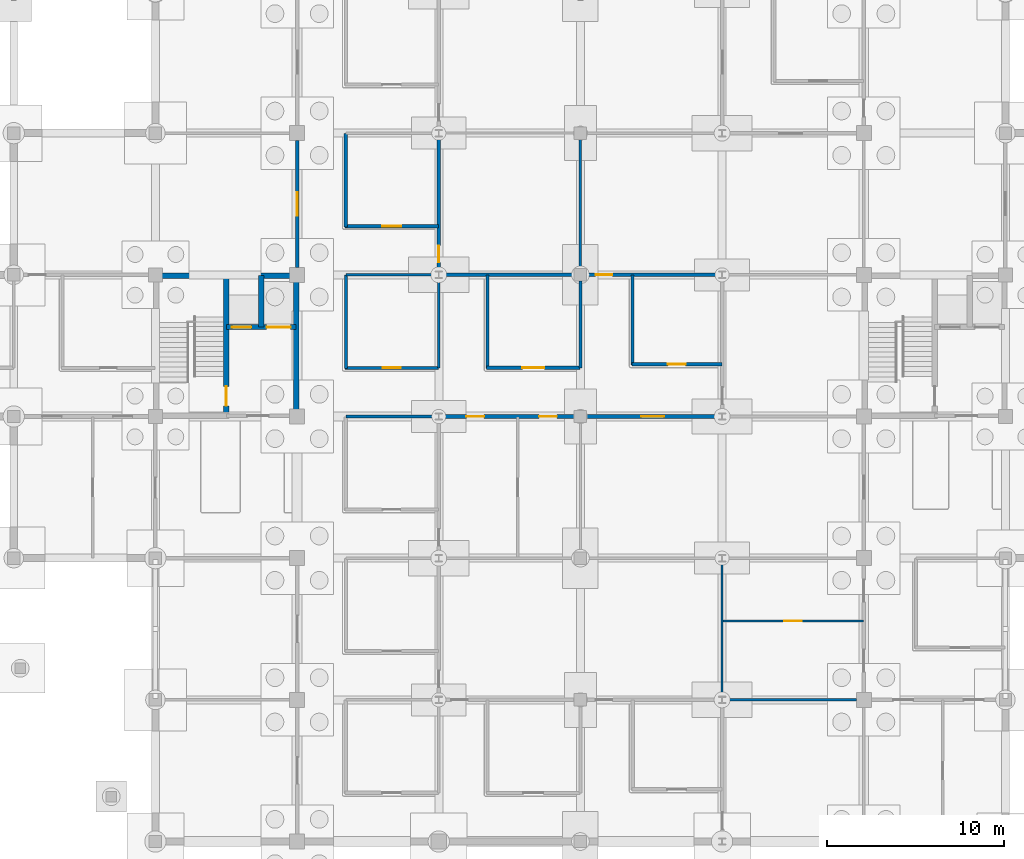
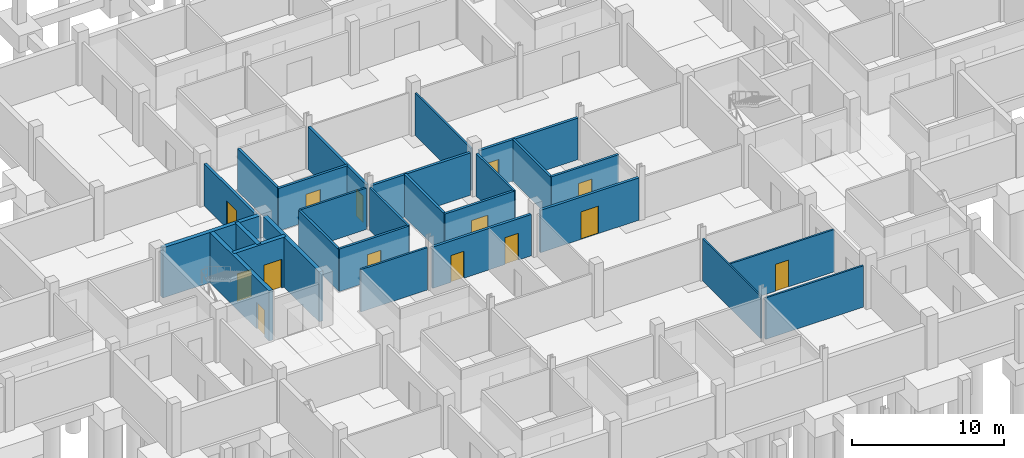
# One storey, part 29 of 48: 27 walls, 14 doors, 14 openings.
"""IFC4 building model written with IfcOpenShell, lengths in metres."""

from ifc_helpers import new_model, si_unit, derived_unit, direction, frame, frame_2d, origin, place, context, subcontext, project, spatial, rectangle, extrude, material, layer, layer_set, type_object, element, fill, save


model = new_model("IFC4")

# Units and contexts
model_context = context("Model", 3, precision=1e-05, world=origin(), true_north=direction((0.0, 1.0)))
body_context = subcontext(model_context, "Body", "Model", "MODEL_VIEW")
ifc_project = project(units=[si_unit("LENGTHUNIT", "METRE"), si_unit("AREAUNIT", "SQUARE_METRE"), si_unit("VOLUMEUNIT", "CUBIC_METRE"), si_unit("PLANEANGLEUNIT", "RADIAN"), si_unit("MASSUNIT", "GRAM", prefix="KILO"), derived_unit("THERMALTRANSMITTANCEUNIT", [(si_unit("MASSUNIT", "GRAM", prefix="KILO"), 1), (si_unit("TIMEUNIT", "SECOND"), -3), (si_unit("THERMODYNAMICTEMPERATUREUNIT", "KELVIN"), -1)])], contexts=[model_context])

# Site, building, storey
site_placement = place(None, origin())
site = spatial("IfcSite", under=ifc_project, at=site_placement, CompositionType="ELEMENT")
building_placement = place(site_placement, origin())
building = spatial("IfcBuilding", under=site, at=building_placement, Name="Veyamyaing Civic Hall", CompositionType="ELEMENT")
storey_placement = place(building_placement, frame((0.0, 0.0, -4.2900390625)))
storey = spatial("IfcBuildingStorey", under=building, at=storey_placement, Name="B1", CompositionType="ELEMENT", Elevation=-4.2900390625)

# Walls
ifc_material_1 = material(Name="Concrete C40/50", Category="concrete")
ifc_layer_1 = layer(ifc_material_1, 0.300048828125, Name="Concrete C40/50")
ifc_layer_set_1 = layer_set([ifc_layer_1], Name="Concrete C40/50")
wall_type_1 = type_object("IfcWallType", Name="WT-05", PredefinedType="SHEAR", material=ifc_layer_set_1)
wall_1_placement = place(storey_placement, frame((64.2900390625, 55.949951171875, 0.0), z_axis=(0.0, 0.0, 1.0), x_axis=(1.0, 0.0, 0.0)))
element("IfcWall", 1, at=wall_1_placement, inside=storey, type_object=wall_type_1, Name="Core shear wall WT-05 CORE-5 B1.N", PredefinedType="SHEAR", context=body_context, shape_type="SweptSolid", body=[
    extrude(rectangle(XDim=7.39501953125, YDim=0.300048828125, at=frame_2d((3.697509765625, 0.0))), origin(), (0.0, 0.0, 1.0), 4.01513671875),
])
wall_2_placement = place(storey_placement, frame((71.949951171875, 48.31494140625, 0.0), z_axis=(0.0, 0.0, 1.0), x_axis=(0.0, 1.0, 0.0)))
element("IfcWall", 2, at=wall_2_placement, inside=storey, type_object=wall_type_1, Name="Core shear wall WT-05 CORE-5 B1.E", PredefinedType="SHEAR", context=body_context, shape_type="SweptSolid", body=[
    extrude(rectangle(XDim=7.3701171875, YDim=0.300048828125, at=frame_2d((3.68505859375, 0.0))), origin(), (0.0, 0.0, 1.0), 4.01513671875),
])

# Wall, opening, door
wall_3_placement = place(storey_placement, frame((68.0, 48.050048828125, 0.0), z_axis=(0.0, 0.0, 1.0), x_axis=(0.0, 1.0, 0.0)))
wall_3 = element("IfcWall", 3, at=wall_3_placement, inside=storey, type_object=wall_type_1, Name="Core shear wall WT-05 CORE-5 B1.MID", PredefinedType="SHEAR", context=body_context, shape_type="SweptSolid", body=[
    extrude(rectangle(XDim=7.89990234375, YDim=0.300048828125, at=frame_2d((3.949951171875, 0.0))), origin(), (0.0, 0.0, 1.0), 4.01513671875),
])
opening_1_placement = place(wall_3_placement, frame((0.550048828125, 0.0, 0.0)))
opening_1 = element("IfcOpeningElement", 4, at=opening_1_placement, cuts=wall_3, Name="Opening D-03", PredefinedType="OPENING", context=body_context, shape_type="SweptSolid", body=[
    extrude(rectangle(XDim=1.10009765625, YDim=2.14990234375, at=frame_2d((0.550048828125, 1.074951171875))), frame((0.0, 0.159912109375, 0.0), z_axis=(0.0, -1.0, 0.0), x_axis=(1.0, 0.0, 0.0)), (0.0, 0.0, 1.0), 0.320068359375),
])
ifc_material_2 = material(Name="Galvanized steel S355J2", Category="steel")
door_type_1 = type_object("IfcDoorType", Name="D-03", OperationType="NOTDEFINED", PredefinedType="DOOR", material=ifc_material_2)
door_1_placement = place(opening_1_placement, origin())
door_1 = element("IfcDoor", 5, at=door_1_placement, inside=storey, type_object=door_type_1, Name="Exit stair fire door D-03 ST-05 B1", OperationType="SINGLE_SWING_LEFT", OverallHeight=2.14990234375, OverallWidth=1.10009765625, PredefinedType="DOOR", context=body_context, shape_type="SweptSolid", body=[
    extrude(rectangle(XDim=1.10009765625, YDim=2.14990234375, at=frame_2d((0.550048828125, 1.074951171875))), frame((0.0, 0.02490234375, 0.0), z_axis=(0.0, -1.0, 0.0), x_axis=(1.0, 0.0, 0.0)), (0.0, 0.0, 1.0), 0.050048828125),
])
fill(opening_1, door_1)

# Wall, openings, doors
wall_4_placement = place(storey_placement, frame((68.0, 53.050048828125, 0.0), z_axis=(0.0, 0.0, 1.0), x_axis=(1.0, 0.0, 0.0)))
wall_4 = element("IfcWall", 6, at=wall_4_placement, inside=storey, type_object=wall_type_1, Name="Core shear wall WT-05 CORE-5 B1.LFT", PredefinedType="SHEAR", context=body_context, shape_type="SweptSolid", body=[
    extrude(rectangle(XDim=3.949951171875, YDim=0.300048828125, at=frame_2d((1.97509765625, 0.0))), origin(), (0.0, 0.0, 1.0), 4.01513671875),
])
opening_2_placement = place(wall_4_placement, frame((0.320068359375, 0.0, 0.0)))
opening_2 = element("IfcOpeningElement", 7, at=opening_2_placement, cuts=wall_4, Name="Opening LD-01", PredefinedType="OPENING", context=body_context, shape_type="SweptSolid", body=[
    extrude(rectangle(XDim=1.10009765625, YDim=2.199951171875, at=frame_2d((0.550048828125, 1.10009765625))), frame((0.0, 0.159912109375, 0.0), z_axis=(0.0, -1.0, 0.0), x_axis=(1.0, 0.0, 0.0)), (0.0, 0.0, 1.0), 0.320068359375),
])
opening_3_placement = place(wall_4_placement, frame((2.280029296875, 0.0, 0.0)))
opening_3 = element("IfcOpeningElement", 8, at=opening_3_placement, cuts=wall_4, Name="Opening LD-03", PredefinedType="OPENING", context=body_context, shape_type="SweptSolid", body=[
    extrude(rectangle(XDim=1.35009765625, YDim=2.300048828125, at=frame_2d((0.675048828125, 1.14990234375))), frame((0.0, 0.159912109375, 0.0), z_axis=(0.0, -1.0, 0.0), x_axis=(1.0, 0.0, 0.0)), (0.0, 0.0, 1.0), 0.320068359375),
])
ifc_material_3 = material(Name="Anodised aluminium 6063-T6", Category="aluminium")
door_type_2 = type_object("IfcDoorType", Name="LD-01", OperationType="SLIDING_TO_LEFT", PredefinedType="DOOR", material=ifc_material_3)
door_2_placement = place(opening_2_placement, origin())
door_2 = element("IfcDoor", 9, at=door_2_placement, inside=storey, type_object=door_type_2, Name="Lift sliding landing door LD-01 PL-03 B1", OperationType="SLIDING_TO_LEFT", OverallHeight=2.199951171875, OverallWidth=1.10009765625, PredefinedType="DOOR", context=body_context, shape_type="SweptSolid", body=[
    extrude(rectangle(XDim=1.10009765625, YDim=2.199951171875, at=frame_2d((0.550048828125, 1.10009765625))), frame((0.0, 0.02490234375, 0.0), z_axis=(0.0, -1.0, 0.0), x_axis=(1.0, 0.0, 0.0)), (0.0, 0.0, 1.0), 0.050048828125),
])
fill(opening_2, door_2)
door_type_3 = type_object("IfcDoorType", Name="LD-03", OperationType="DOUBLE_DOOR_SLIDING", PredefinedType="DOOR", material=ifc_material_2)
door_3_placement = place(opening_3_placement, origin())
door_3 = element("IfcDoor", 10, at=door_3_placement, inside=storey, type_object=door_type_3, Name="Lift sliding landing door LD-03 GL-01 B1", OperationType="DOUBLE_DOOR_SLIDING", OverallHeight=2.300048828125, OverallWidth=1.35009765625, PredefinedType="DOOR", context=body_context, shape_type="SweptSolid", body=[
    extrude(rectangle(XDim=1.35009765625, YDim=2.300048828125, at=frame_2d((0.675048828125, 1.14990234375))), frame((0.0, 0.02490234375, 0.0), z_axis=(0.0, -1.0, 0.0), x_axis=(1.0, 0.0, 0.0)), (0.0, 0.0, 1.0), 0.050048828125),
])
fill(opening_3, door_3)

# Wall
wall_5_placement = place(storey_placement, frame((69.97998046875, 53.050048828125, 0.0), z_axis=(0.0, 0.0, 1.0), x_axis=(0.0, 1.0, 0.0)))
element("IfcWall", 11, at=wall_5_placement, inside=storey, type_object=wall_type_1, Name="Core shear wall WT-05 CORE-5 B1.LDIV", PredefinedType="SHEAR", context=body_context, shape_type="SweptSolid", body=[
    extrude(rectangle(XDim=2.89990234375, YDim=0.300048828125, at=frame_2d((1.449951171875, 0.0))), origin(), (0.0, 0.0, 1.0), 4.01513671875),
])

# Wall, opening, door
ifc_layer_2 = layer(ifc_material_1, 0.199951171875, Name="Concrete C40/50")
ifc_layer_set_2 = layer_set([ifc_layer_2], Name="Concrete C40/50")
wall_type_2 = type_object("IfcWallType", Name="WT-06", PredefinedType="PARTITIONING", material=ifc_layer_set_2)
wall_6_placement = place(storey_placement, frame((72.0, 56.4150390625, 0.0), z_axis=(0.0, 0.0, 1.0), x_axis=(0.0, 1.0, 0.0)))
wall_6 = element("IfcWall", 12, at=wall_6_placement, inside=storey, type_object=wall_type_2, Name="Interior partition wall WT-06 B1.20", PredefinedType="PARTITIONING", context=body_context, shape_type="SweptSolid", body=[
    extrude(rectangle(XDim=7.169921875, YDim=0.199951171875, at=frame_2d((3.5849609375, 0.0))), origin(), (0.0, 0.0, 1.0), 3.39306640625),
])
opening_4_placement = place(wall_6_placement, frame((2.93505859375, 0.0, 0.0)))
opening_4 = element("IfcOpeningElement", 13, at=opening_4_placement, cuts=wall_6, Name="Opening D-18", PredefinedType="OPENING", context=body_context, shape_type="SweptSolid", body=[
    extrude(rectangle(XDim=1.300048828125, YDim=2.199951171875, at=frame_2d((0.64990234375, 1.10009765625))), frame((0.0, 0.10986328125, 0.0), z_axis=(0.0, -1.0, 0.0), x_axis=(1.0, 0.0, 0.0)), (0.0, 0.0, 1.0), 0.219970703125),
])
door_type_4 = type_object("IfcDoorType", Name="D-18", OperationType="DOUBLE_DOOR_SINGLE_SWING", PredefinedType="DOOR", material=ifc_material_3)
door_4_placement = place(opening_4_placement, origin())
door_4 = element("IfcDoor", 14, at=door_4_placement, inside=storey, type_object=door_type_4, Name="Interior door D-18 B1.20", OperationType="DOUBLE_DOOR_SINGLE_SWING", OverallHeight=2.199951171875, OverallWidth=1.300048828125, PredefinedType="DOOR", context=body_context, shape_type="SweptSolid", body=[
    extrude(rectangle(XDim=1.300048828125, YDim=2.199951171875, at=frame_2d((0.64990234375, 1.10009765625))), frame((0.0, 0.02490234375, 0.0), z_axis=(0.0, -1.0, 0.0), x_axis=(1.0, 0.0, 0.0)), (0.0, 0.0, 1.0), 0.050048828125),
])
fill(opening_4, door_4)

wall_7_placement = place(storey_placement, frame((80.0, 56.18359375, 0.0), z_axis=(0.0, 0.0, 1.0), x_axis=(0.0, 1.0, 0.0)))
wall_7 = element("IfcWall", 15, at=wall_7_placement, inside=storey, type_object=wall_type_2, Name="Interior partition wall WT-06 B1.26", PredefinedType="PARTITIONING", context=body_context, shape_type="SweptSolid", body=[
    extrude(rectangle(XDim=7.6328125, YDim=0.199951171875, at=frame_2d((3.81640625, 0.0))), origin(), (0.0, 0.0, 1.0), 3.402099609375),
])
opening_5_placement = place(wall_7_placement, frame((0.52001953125, 0.0, 0.0)))
opening_5 = element("IfcOpeningElement", 16, at=opening_5_placement, cuts=wall_7, Name="Opening D-30", PredefinedType="OPENING", context=body_context, shape_type="SweptSolid", body=[
    extrude(rectangle(XDim=0.93994140625, YDim=2.1201171875, at=frame_2d((0.469970703125, 1.06005859375))), frame((0.0, 0.10986328125, 0.0), z_axis=(0.0, -1.0, 0.0), x_axis=(1.0, 0.0, 0.0)), (0.0, 0.0, 1.0), 0.219970703125),
])
ifc_material_4 = material(Name="Teak-veneered acoustic timber", Category="wood")
door_type_5 = type_object("IfcDoorType", Name="D-30", OperationType="NOTDEFINED", PredefinedType="DOOR", material=ifc_material_4)
door_5_placement = place(opening_5_placement, frame((0.93994140625, 0.0, 0.0), z_axis=(0.0, 0.0, 1.0), x_axis=(-1.0, 0.0, 0.0)))
door_5 = element("IfcDoor", 17, at=door_5_placement, inside=storey, type_object=door_type_5, Name="Interior door D-30 B1.26", OperationType="SINGLE_SWING_LEFT", OverallHeight=2.1201171875, OverallWidth=0.93994140625, PredefinedType="DOOR", context=body_context, shape_type="SweptSolid", body=[
    extrude(rectangle(XDim=0.93994140625, YDim=2.1201171875, at=frame_2d((0.469970703125, 1.06005859375))), frame((0.0, 0.02490234375, 0.0), z_axis=(0.0, -1.0, 0.0), x_axis=(1.0, 0.0, 0.0)), (0.0, 0.0, 1.0), 0.050048828125),
])
fill(opening_5, door_5)

# Wall, openings, doors
wall_8_placement = place(storey_placement, frame((80.18896484375, 48.0, 0.0), z_axis=(0.0, 0.0, 1.0), x_axis=(1.0, 0.0, 0.0)))
wall_8 = element("IfcWall", 18, at=wall_8_placement, inside=storey, type_object=wall_type_2, Name="Interior partition wall WT-06 B1.31", PredefinedType="PARTITIONING", context=body_context, shape_type="SweptSolid", body=[
    extrude(rectangle(XDim=7.470947265625, YDim=0.199951171875, at=frame_2d((3.7353515625, 0.0))), origin(), (0.0, 0.0, 1.0), 3.317138671875),
])
opening_6_placement = place(wall_8_placement, frame((1.367919921875, 0.0, 0.0)))
opening_6 = element("IfcOpeningElement", 19, at=opening_6_placement, cuts=wall_8, Name="Opening D-13", PredefinedType="OPENING", context=body_context, shape_type="SweptSolid", body=[
    extrude(rectangle(XDim=1.0, YDim=2.14990234375, at=frame_2d((0.5, 1.074951171875))), frame((0.0, 0.10986328125, 0.0), z_axis=(0.0, -1.0, 0.0), x_axis=(1.0, 0.0, 0.0)), (0.0, 0.0, 1.0), 0.219970703125),
])
opening_7_placement = place(wall_8_placement, frame((5.476806640625, 0.0, 0.0)))
opening_7 = element("IfcOpeningElement", 20, at=opening_7_placement, cuts=wall_8, Name="Opening D-13", PredefinedType="OPENING", context=body_context, shape_type="SweptSolid", body=[
    extrude(rectangle(XDim=1.0, YDim=2.14990234375, at=frame_2d((0.5, 1.074951171875))), frame((0.0, 0.10986328125, 0.0), z_axis=(0.0, -1.0, 0.0), x_axis=(1.0, 0.0, 0.0)), (0.0, 0.0, 1.0), 0.219970703125),
])
door_type_6 = type_object("IfcDoorType", Name="D-13", OperationType="NOTDEFINED", PredefinedType="DOOR", material=ifc_material_4)
door_6_placement = place(opening_6_placement, frame((1.0, 0.0, 0.0), z_axis=(0.0, 0.0, 1.0), x_axis=(-1.0, 0.0, 0.0)))
door_6 = element("IfcDoor", 21, at=door_6_placement, inside=storey, type_object=door_type_6, Name="Interior room door D-13 B1.31.1", OperationType="SINGLE_SWING_RIGHT", OverallHeight=2.14990234375, OverallWidth=1.0, PredefinedType="DOOR", context=body_context, shape_type="SweptSolid", body=[
    extrude(rectangle(XDim=1.0, YDim=2.14990234375, at=frame_2d((0.5, 1.074951171875))), frame((0.0, 0.02490234375, 0.0), z_axis=(0.0, -1.0, 0.0), x_axis=(1.0, 0.0, 0.0)), (0.0, 0.0, 1.0), 0.050048828125),
])
fill(opening_6, door_6)
door_7_placement = place(opening_7_placement, frame((1.0, 0.0, 0.0), z_axis=(0.0, 0.0, 1.0), x_axis=(-1.0, 0.0, 0.0)))
door_7 = element("IfcDoor", 22, at=door_7_placement, inside=storey, type_object=door_type_6, Name="Interior room door D-13 B1.31.2", OperationType="SINGLE_SWING_LEFT", OverallHeight=2.14990234375, OverallWidth=1.0, PredefinedType="DOOR", context=body_context, shape_type="SweptSolid", body=[
    extrude(rectangle(XDim=1.0, YDim=2.14990234375, at=frame_2d((0.5, 1.074951171875))), frame((0.0, 0.02490234375, 0.0), z_axis=(0.0, -1.0, 0.0), x_axis=(1.0, 0.0, 0.0)), (0.0, 0.0, 1.0), 0.050048828125),
])
fill(opening_7, door_7)

# Wall
wall_9_placement = place(storey_placement, frame((80.18896484375, 56.0, 0.0), z_axis=(0.0, 0.0, 1.0), x_axis=(1.0, 0.0, 0.0)))
element("IfcWall", 23, at=wall_9_placement, inside=storey, type_object=wall_type_2, Name="Interior partition wall WT-06 B1.32", PredefinedType="PARTITIONING", context=body_context, shape_type="SweptSolid", body=[
    extrude(rectangle(XDim=7.470947265625, YDim=0.199951171875, at=frame_2d((3.7353515625, 0.0))), origin(), (0.0, 0.0, 1.0), 3.39306640625),
])

# Wall, opening, door
wall_10_placement = place(storey_placement, frame((88.340087890625, 48.0, 0.0), z_axis=(0.0, 0.0, 1.0), x_axis=(1.0, 0.0, 0.0)))
wall_10 = element("IfcWall", 24, at=wall_10_placement, inside=storey, type_object=wall_type_2, Name="Interior partition wall WT-06 B1.40", PredefinedType="PARTITIONING", context=body_context, shape_type="SweptSolid", body=[
    extrude(rectangle(XDim=7.470947265625, YDim=0.199951171875, at=frame_2d((3.7353515625, 0.0))), origin(), (0.0, 0.0, 1.0), 3.39306640625),
])
opening_8_placement = place(wall_10_placement, frame((3.08544921875, 0.0, 0.0)))
opening_8 = element("IfcOpeningElement", 25, at=opening_8_placement, cuts=wall_10, Name="Opening D-18", PredefinedType="OPENING", context=body_context, shape_type="SweptSolid", body=[
    extrude(rectangle(XDim=1.300048828125, YDim=2.199951171875, at=frame_2d((0.64990234375, 1.10009765625))), frame((0.0, 0.10986328125, 0.0), z_axis=(0.0, -1.0, 0.0), x_axis=(1.0, 0.0, 0.0)), (0.0, 0.0, 1.0), 0.219970703125),
])
door_8_placement = place(opening_8_placement, frame((1.300048828125, 0.0, 0.0), z_axis=(0.0, 0.0, 1.0), x_axis=(-1.0, 0.0, 0.0)))
door_8 = element("IfcDoor", 26, at=door_8_placement, inside=storey, type_object=door_type_4, Name="Interior door D-18 B1.40", OperationType="DOUBLE_DOOR_SINGLE_SWING", OverallHeight=2.199951171875, OverallWidth=1.300048828125, PredefinedType="DOOR", context=body_context, shape_type="SweptSolid", body=[
    extrude(rectangle(XDim=1.300048828125, YDim=2.199951171875, at=frame_2d((0.64990234375, 1.10009765625))), frame((0.0, 0.02490234375, 0.0), z_axis=(0.0, -1.0, 0.0), x_axis=(1.0, 0.0, 0.0)), (0.0, 0.0, 1.0), 0.050048828125),
])
fill(opening_8, door_8)

wall_11_placement = place(storey_placement, frame((88.340087890625, 56.0, 0.0), z_axis=(0.0, 0.0, 1.0), x_axis=(1.0, 0.0, 0.0)))
wall_11 = element("IfcWall", 27, at=wall_11_placement, inside=storey, type_object=wall_type_2, Name="Interior partition wall WT-06 B1.42", PredefinedType="PARTITIONING", context=body_context, shape_type="SweptSolid", body=[
    extrude(rectangle(XDim=7.470947265625, YDim=0.199951171875, at=frame_2d((3.7353515625, 0.0))), origin(), (0.0, 0.0, 1.0), 3.325927734375),
])
opening_9_placement = place(wall_11_placement, frame((0.52001953125, 0.0, 0.0)))
opening_9 = element("IfcOpeningElement", 28, at=opening_9_placement, cuts=wall_11, Name="Opening D-30", PredefinedType="OPENING", context=body_context, shape_type="SweptSolid", body=[
    extrude(rectangle(XDim=0.93994140625, YDim=2.1201171875, at=frame_2d((0.469970703125, 1.06005859375))), frame((0.0, 0.10986328125, 0.0), z_axis=(0.0, -1.0, 0.0), x_axis=(1.0, 0.0, 0.0)), (0.0, 0.0, 1.0), 0.219970703125),
])
door_9_placement = place(opening_9_placement, origin())
door_9 = element("IfcDoor", 29, at=door_9_placement, inside=storey, type_object=door_type_5, Name="Interior door D-30 B1.42", OperationType="SINGLE_SWING_LEFT", OverallHeight=2.1201171875, OverallWidth=0.93994140625, PredefinedType="DOOR", context=body_context, shape_type="SweptSolid", body=[
    extrude(rectangle(XDim=0.93994140625, YDim=2.1201171875, at=frame_2d((0.469970703125, 1.06005859375))), frame((0.0, 0.02490234375, 0.0), z_axis=(0.0, -1.0, 0.0), x_axis=(1.0, 0.0, 0.0)), (0.0, 0.0, 1.0), 0.050048828125),
])
fill(opening_9, door_9)

ifc_material_5 = material(Name="Gypsum board on acoustic steel stud", Category="steel")
ifc_layer_3 = layer(ifc_material_5, 0.175048828125, Name="Gypsum board on acoustic steel stud")
ifc_layer_set_3 = layer_set([ifc_layer_3], Name="Gypsum board on acoustic steel stud")
wall_type_3 = type_object("IfcWallType", Name="WT-07", PredefinedType="PARTITIONING", material=ifc_layer_set_3)
wall_12_placement = place(storey_placement, frame((74.699951171875, 50.75, 0.0), z_axis=(0.0, 0.0, 1.0), x_axis=(1.0, 0.0, 0.0)))
wall_12 = element("IfcWall", 30, at=wall_12_placement, inside=storey, type_object=wall_type_3, Name="Corridor gallery partition WT-07 B1.23.1", PredefinedType="PARTITIONING", context=body_context, shape_type="SweptSolid", body=[
    extrude(rectangle(XDim=5.280029296875, YDim=0.175048828125, at=frame_2d((2.64013671875, 0.0))), origin(), (0.0, 0.0, 1.0), 3.39306640625),
])
opening_10_placement = place(wall_12_placement, frame((2.1298828125, 0.0, 0.0)))
opening_10 = element("IfcOpeningElement", 31, at=opening_10_placement, cuts=wall_12, Name="Opening D-19", PredefinedType="OPENING", context=body_context, shape_type="SweptSolid", body=[
    extrude(rectangle(XDim=1.02001953125, YDim=2.199951171875, at=frame_2d((0.510009765625, 1.10009765625))), frame((0.0, 0.097412109375, 0.0), z_axis=(0.0, -1.0, 0.0), x_axis=(1.0, 0.0, 0.0)), (0.0, 0.0, 1.0), 0.195068359375),
])
door_type_7 = type_object("IfcDoorType", Name="D-19", OperationType="NOTDEFINED", PredefinedType="DOOR", material=ifc_material_4)
door_10_placement = place(opening_10_placement, origin())
door_10 = element("IfcDoor", 32, at=door_10_placement, inside=storey, type_object=door_type_7, Name="Gallery office door D-19 B1.23", OperationType="SINGLE_SWING_LEFT", OverallHeight=2.199951171875, OverallWidth=1.02001953125, PredefinedType="DOOR", context=body_context, shape_type="SweptSolid", body=[
    extrude(rectangle(XDim=1.02001953125, YDim=2.199951171875, at=frame_2d((0.510009765625, 1.10009765625))), frame((0.0, 0.02490234375, 0.0), z_axis=(0.0, -1.0, 0.0), x_axis=(1.0, 0.0, 0.0)), (0.0, 0.0, 1.0), 0.050048828125),
])
fill(opening_10, door_10)

# Wall
wall_13_placement = place(storey_placement, frame((74.75, 50.699951171875, 0.0), z_axis=(0.0, 0.0, 1.0), x_axis=(0.0, 1.0, 0.0)))
element("IfcWall", 33, at=wall_13_placement, inside=storey, type_object=wall_type_3, Name="Corridor gallery partition WT-07 B1.23.2", PredefinedType="PARTITIONING", context=body_context, shape_type="SweptSolid", body=[
    extrude(rectangle(XDim=5.280029296875, YDim=0.175048828125, at=frame_2d((2.64013671875, 0.0))), origin(), (0.0, 0.0, 1.0), 3.317138671875),
])

# Wall, opening, door
wall_14_placement = place(storey_placement, frame((90.89990234375, 50.949951171875, 0.0), z_axis=(0.0, 0.0, 1.0), x_axis=(1.0, 0.0, 0.0)))
wall_14 = element("IfcWall", 34, at=wall_14_placement, inside=storey, type_object=wall_type_3, Name="Corridor gallery partition WT-07 B1.31.1", PredefinedType="PARTITIONING", context=body_context, shape_type="SweptSolid", body=[
    extrude(rectangle(XDim=5.080078125, YDim=0.175048828125, at=frame_2d((2.5400390625, 0.0))), origin(), (0.0, 0.0, 1.0), 3.39404296875),
])
opening_11_placement = place(wall_14_placement, frame((2.0400390625, 0.0, 0.0)))
opening_11 = element("IfcOpeningElement", 35, at=opening_11_placement, cuts=wall_14, Name="Opening D-13", PredefinedType="OPENING", context=body_context, shape_type="SweptSolid", body=[
    extrude(rectangle(XDim=1.0, YDim=2.14990234375, at=frame_2d((0.5, 1.074951171875))), frame((0.0, 0.097412109375, 0.0), z_axis=(0.0, -1.0, 0.0), x_axis=(1.0, 0.0, 0.0)), (0.0, 0.0, 1.0), 0.195068359375),
])
door_11_placement = place(opening_11_placement, origin())
door_11 = element("IfcDoor", 36, at=door_11_placement, inside=storey, type_object=door_type_6, Name="Gallery office door D-13 B1.31", OperationType="SINGLE_SWING_LEFT", OverallHeight=2.14990234375, OverallWidth=1.0, PredefinedType="DOOR", context=body_context, shape_type="SweptSolid", body=[
    extrude(rectangle(XDim=1.0, YDim=2.14990234375, at=frame_2d((0.5, 1.074951171875))), frame((0.0, 0.02490234375, 0.0), z_axis=(0.0, -1.0, 0.0), x_axis=(1.0, 0.0, 0.0)), (0.0, 0.0, 1.0), 0.050048828125),
])
fill(opening_11, door_11)

# Walls
wall_15_placement = place(storey_placement, frame((90.949951171875, 50.89990234375, 0.0), z_axis=(0.0, 0.0, 1.0), x_axis=(0.0, 1.0, 0.0)))
element("IfcWall", 37, at=wall_15_placement, inside=storey, type_object=wall_type_3, Name="Corridor gallery partition WT-07 B1.31.2", PredefinedType="PARTITIONING", context=body_context, shape_type="SweptSolid", body=[
    extrude(rectangle(XDim=5.080078125, YDim=0.175048828125, at=frame_2d((2.5400390625, 0.0))), origin(), (0.0, 0.0, 1.0), 3.325927734375),
])
ifc_material_6 = material(Name="Gypsum board on steel stud", Category="steel")
ifc_layer_4 = layer(ifc_material_6, 0.14990234375, Name="Gypsum board on steel stud")
ifc_layer_set_4 = layer_set([ifc_layer_4], Name="Gypsum board on steel stud")
wall_type_4 = type_object("IfcWallType", Name="WT-08", PredefinedType="PARTITIONING", material=ifc_layer_set_4)
wall_16_placement = place(storey_placement, frame((74.75, 48.0, 0.0), z_axis=(0.0, 0.0, 1.0), x_axis=(1.0, 0.0, 0.0)))
element("IfcWall", 38, at=wall_16_placement, inside=storey, type_object=wall_type_4, Name="Gallery office end partition WT-08 B1.22.1", PredefinedType="PARTITIONING", context=body_context, shape_type="SweptSolid", body=[
    extrude(rectangle(XDim=5.041015625, YDim=0.14990234375, at=frame_2d((2.5205078125, 0.0))), origin(), (0.0, 0.0, 1.0), 3.39404296875),
])
wall_17_placement = place(storey_placement, frame((74.75, 56.0, 0.0), z_axis=(0.0, 0.0, 1.0), x_axis=(1.0, 0.0, 0.0)))
element("IfcWall", 39, at=wall_17_placement, inside=storey, type_object=wall_type_4, Name="Gallery office end partition WT-08 B1.23.1", PredefinedType="PARTITIONING", context=body_context, shape_type="SweptSolid", body=[
    extrude(rectangle(XDim=5.041015625, YDim=0.14990234375, at=frame_2d((2.5205078125, 0.0))), origin(), (0.0, 0.0, 1.0), 3.317138671875),
])
wall_18_placement = place(storey_placement, frame((80.0, 50.75, 0.0), z_axis=(0.0, 0.0, 1.0), x_axis=(0.0, 1.0, 0.0)))
element("IfcWall", 40, at=wall_18_placement, inside=storey, type_object=wall_type_4, Name="Gallery office end partition WT-08 B1.23.2", PredefinedType="PARTITIONING", context=body_context, shape_type="SweptSolid", body=[
    extrude(rectangle(XDim=5.04638671875, YDim=0.14990234375, at=frame_2d((2.523193359375, 0.0))), origin(), (0.0, 0.0, 1.0), 3.39306640625),
])
wall_19_placement = place(storey_placement, frame((88.0, 50.75, 0.0), z_axis=(0.0, 0.0, 1.0), x_axis=(0.0, 1.0, 0.0)))
element("IfcWall", 41, at=wall_19_placement, inside=storey, type_object=wall_type_4, Name="Gallery office end partition WT-08 B1.28.2", PredefinedType="PARTITIONING", context=body_context, shape_type="SweptSolid", body=[
    extrude(rectangle(XDim=4.889892578125, YDim=0.14990234375, at=frame_2d((2.44482421875, 0.0))), origin(), (0.0, 0.0, 1.0), 3.402099609375),
])
ifc_layer_5 = layer(ifc_material_6, 0.135009765625, Name="Gypsum board on steel stud")
ifc_layer_set_5 = layer_set([ifc_layer_5], Name="Gypsum board on steel stud")
wall_type_5 = type_object("IfcWallType", Name="WT-15", PredefinedType="PARTITIONING", material=ifc_layer_set_5)
wall_20_placement = place(storey_placement, frame((88.0, 56.340087890625, 0.0), z_axis=(0.0, 0.0, 1.0), x_axis=(0.0, 1.0, 0.0)))
element("IfcWall", 42, at=wall_20_placement, inside=storey, type_object=wall_type_5, Name="Interior partition wall WT-15 B1.33", PredefinedType="PARTITIONING", context=body_context, shape_type="SweptSolid", body=[
    extrude(rectangle(XDim=7.31982421875, YDim=0.135009765625, at=frame_2d((3.659912109375, 0.0))), origin(), (0.0, 0.0, 1.0), 3.39404296875),
])

# Wall, opening, door
wall_21_placement = place(storey_placement, frame((96.02001953125, 36.449951171875, 0.0), z_axis=(0.0, 0.0, 1.0), x_axis=(1.0, 0.0, 0.0)))
wall_21 = element("IfcWall", 43, at=wall_21_placement, inside=storey, type_object=wall_type_5, Name="Sub-bay room partition WT-15 B1.4", PredefinedType="PARTITIONING", context=body_context, shape_type="SweptSolid", body=[
    extrude(rectangle(XDim=7.9599609375, YDim=0.135009765625, at=frame_2d((3.97998046875, 0.0))), origin(), (0.0, 0.0, 1.0), 3.39306640625),
])
opening_12_placement = place(wall_21_placement, frame((3.489990234375, 0.0, 0.0)))
opening_12 = element("IfcOpeningElement", 44, at=opening_12_placement, cuts=wall_21, Name="Opening D-14", PredefinedType="OPENING", context=body_context, shape_type="SweptSolid", body=[
    extrude(rectangle(XDim=0.97998046875, YDim=2.14990234375, at=frame_2d((0.489990234375, 1.074951171875))), frame((0.0, 0.077392578125, 0.0), z_axis=(0.0, -1.0, 0.0), x_axis=(1.0, 0.0, 0.0)), (0.0, 0.0, 1.0), 0.155029296875),
])
door_type_8 = type_object("IfcDoorType", Name="D-14", OperationType="NOTDEFINED", PredefinedType="DOOR", material=ifc_material_4)
door_12_placement = place(opening_12_placement, origin())
door_12 = element("IfcDoor", 45, at=door_12_placement, inside=storey, type_object=door_type_8, Name="Suite connecting door D-14 B1.4", OperationType="SINGLE_SWING_RIGHT", OverallHeight=2.14990234375, OverallWidth=0.97998046875, PredefinedType="DOOR", context=body_context, shape_type="SweptSolid", body=[
    extrude(rectangle(XDim=0.97998046875, YDim=2.14990234375, at=frame_2d((0.489990234375, 1.074951171875))), frame((0.0, 0.02490234375, 0.0), z_axis=(0.0, -1.0, 0.0), x_axis=(1.0, 0.0, 0.0)), (0.0, 0.0, 1.0), 0.050048828125),
])
fill(opening_12, door_12)

# Wall
ifc_layer_6 = layer(ifc_material_6, 0.1201171875, Name="Gypsum board on steel stud")
ifc_layer_set_6 = layer_set([ifc_layer_6], Name="Gypsum board on steel stud")
wall_type_6 = type_object("IfcWallType", Name="WT-16", PredefinedType="PARTITIONING", material=ifc_layer_set_6)
wall_22_placement = place(storey_placement, frame((96.0, 32.18359375, 0.0), z_axis=(0.0, 0.0, 1.0), x_axis=(0.0, 1.0, 0.0)))
element("IfcWall", 46, at=wall_22_placement, inside=storey, type_object=wall_type_6, Name="Interior partition wall WT-16 B1.38", PredefinedType="PARTITIONING", context=body_context, shape_type="SweptSolid", body=[
    extrude(rectangle(XDim=7.6328125, YDim=0.1201171875, at=frame_2d((3.81640625, 0.0))), origin(), (0.0, 0.0, 1.0), 3.39306640625),
])

# Wall, opening, door
ifc_material_7 = material(Name="Gypsum board on double acoustic stud")
ifc_layer_7 = layer(ifc_material_7, 0.18505859375, Name="Gypsum board on double acoustic stud")
ifc_layer_set_7 = layer_set([ifc_layer_7], Name="Gypsum board on double acoustic stud")
wall_type_7 = type_object("IfcWallType", Name="WT-19", PredefinedType="PARTITIONING", material=ifc_layer_set_7)
wall_23_placement = place(storey_placement, frame((74.699951171875, 58.75, 0.0), z_axis=(0.0, 0.0, 1.0), x_axis=(1.0, 0.0, 0.0)))
wall_23 = element("IfcWall", 47, at=wall_23_placement, inside=storey, type_object=wall_type_7, Name="Corridor gallery partition WT-19 B1.24.1", PredefinedType="PARTITIONING", context=body_context, shape_type="SweptSolid", body=[
    extrude(rectangle(XDim=5.280029296875, YDim=0.18505859375, at=frame_2d((2.64013671875, 0.0))), origin(), (0.0, 0.0, 1.0), 3.402099609375),
])
opening_13_placement = place(wall_23_placement, frame((2.10009765625, 0.0, 0.0)))
opening_13 = element("IfcOpeningElement", 48, at=opening_13_placement, cuts=wall_23, Name="Opening D-23", PredefinedType="OPENING", context=body_context, shape_type="SweptSolid", body=[
    extrude(rectangle(XDim=1.080078125, YDim=2.199951171875, at=frame_2d((0.5400390625, 1.10009765625))), frame((0.0, 0.1025390625, 0.0), z_axis=(0.0, -1.0, 0.0), x_axis=(1.0, 0.0, 0.0)), (0.0, 0.0, 1.0), 0.205078125),
])
door_type_9 = type_object("IfcDoorType", Name="D-23", OperationType="NOTDEFINED", PredefinedType="DOOR", material=ifc_material_4)
door_13_placement = place(opening_13_placement, origin())
door_13 = element("IfcDoor", 49, at=door_13_placement, inside=storey, type_object=door_type_9, Name="Gallery office door D-23 B1.24", OperationType="SINGLE_SWING_RIGHT", OverallHeight=2.199951171875, OverallWidth=1.080078125, PredefinedType="DOOR", context=body_context, shape_type="SweptSolid", body=[
    extrude(rectangle(XDim=1.080078125, YDim=2.199951171875, at=frame_2d((0.5400390625, 1.10009765625))), frame((0.0, 0.02490234375, 0.0), z_axis=(0.0, -1.0, 0.0), x_axis=(1.0, 0.0, 0.0)), (0.0, 0.0, 1.0), 0.050048828125),
])
fill(opening_13, door_13)

# Wall
wall_24_placement = place(storey_placement, frame((74.75, 58.699951171875, 0.0), z_axis=(0.0, 0.0, 1.0), x_axis=(0.0, 1.0, 0.0)))
element("IfcWall", 50, at=wall_24_placement, inside=storey, type_object=wall_type_7, Name="Corridor gallery partition WT-19 B1.24.2", PredefinedType="PARTITIONING", context=body_context, shape_type="SweptSolid", body=[
    extrude(rectangle(XDim=5.280029296875, YDim=0.18505859375, at=frame_2d((2.64013671875, 0.0))), origin(), (0.0, 0.0, 1.0), 3.39306640625),
])

# Wall, opening, door
wall_25_placement = place(storey_placement, frame((82.699951171875, 50.75, 0.0), z_axis=(0.0, 0.0, 1.0), x_axis=(1.0, 0.0, 0.0)))
wall_25 = element("IfcWall", 51, at=wall_25_placement, inside=storey, type_object=wall_type_7, Name="Corridor gallery partition WT-19 B1.28.1", PredefinedType="PARTITIONING", context=body_context, shape_type="SweptSolid", body=[
    extrude(rectangle(XDim=5.280029296875, YDim=0.18505859375, at=frame_2d((2.64013671875, 0.0))), origin(), (0.0, 0.0, 1.0), 3.402099609375),
])
opening_14_placement = place(wall_25_placement, frame((2.014892578125, 0.0, 0.0)))
opening_14 = element("IfcOpeningElement", 52, at=opening_14_placement, cuts=wall_25, Name="Opening D-29", PredefinedType="OPENING", context=body_context, shape_type="SweptSolid", body=[
    extrude(rectangle(XDim=1.25, YDim=2.179931640625, at=frame_2d((0.625, 1.08984375))), frame((0.0, 0.1025390625, 0.0), z_axis=(0.0, -1.0, 0.0), x_axis=(1.0, 0.0, 0.0)), (0.0, 0.0, 1.0), 0.205078125),
])
door_type_10 = type_object("IfcDoorType", Name="D-29", OperationType="NOTDEFINED", PredefinedType="DOOR", material=ifc_material_4)
door_14_placement = place(opening_14_placement, origin())
door_14 = element("IfcDoor", 53, at=door_14_placement, inside=storey, type_object=door_type_10, Name="Gallery office door D-29 B1.28", OperationType="SINGLE_SWING_RIGHT", OverallHeight=2.179931640625, OverallWidth=1.25, PredefinedType="DOOR", context=body_context, shape_type="SweptSolid", body=[
    extrude(rectangle(XDim=1.25, YDim=2.179931640625, at=frame_2d((0.625, 1.08984375))), frame((0.0, 0.02490234375, 0.0), z_axis=(0.0, -1.0, 0.0), x_axis=(1.0, 0.0, 0.0)), (0.0, 0.0, 1.0), 0.050048828125),
])
fill(opening_14, door_14)

# Walls
wall_26_placement = place(storey_placement, frame((82.75, 50.699951171875, 0.0), z_axis=(0.0, 0.0, 1.0), x_axis=(0.0, 1.0, 0.0)))
element("IfcWall", 54, at=wall_26_placement, inside=storey, type_object=wall_type_7, Name="Corridor gallery partition WT-19 B1.28.2", PredefinedType="PARTITIONING", context=body_context, shape_type="SweptSolid", body=[
    extrude(rectangle(XDim=5.280029296875, YDim=0.18505859375, at=frame_2d((2.64013671875, 0.0))), origin(), (0.0, 0.0, 1.0), 3.39306640625),
])
ifc_layer_8 = layer(ifc_material_6, 0.14208984375, Name="Gypsum board on steel stud")
ifc_layer_set_8 = layer_set([ifc_layer_8], Name="Gypsum board on steel stud")
wall_type_8 = type_object("IfcWallType", Name="WT-20", PredefinedType="PARTITIONING", material=ifc_layer_set_8)
wall_27_placement = place(storey_placement, frame((96.18896484375, 32.0, 0.0), z_axis=(0.0, 0.0, 1.0), x_axis=(1.0, 0.0, 0.0)))
element("IfcWall", 55, at=wall_27_placement, inside=storey, type_object=wall_type_8, Name="Interior partition wall WT-20 B1.47", PredefinedType="PARTITIONING", context=body_context, shape_type="SweptSolid", body=[
    extrude(rectangle(XDim=7.39599609375, YDim=0.14208984375, at=frame_2d((3.697998046875, 0.0))), origin(), (0.0, 0.0, 1.0), 3.317138671875),
])

save(model, "model.ifc")
